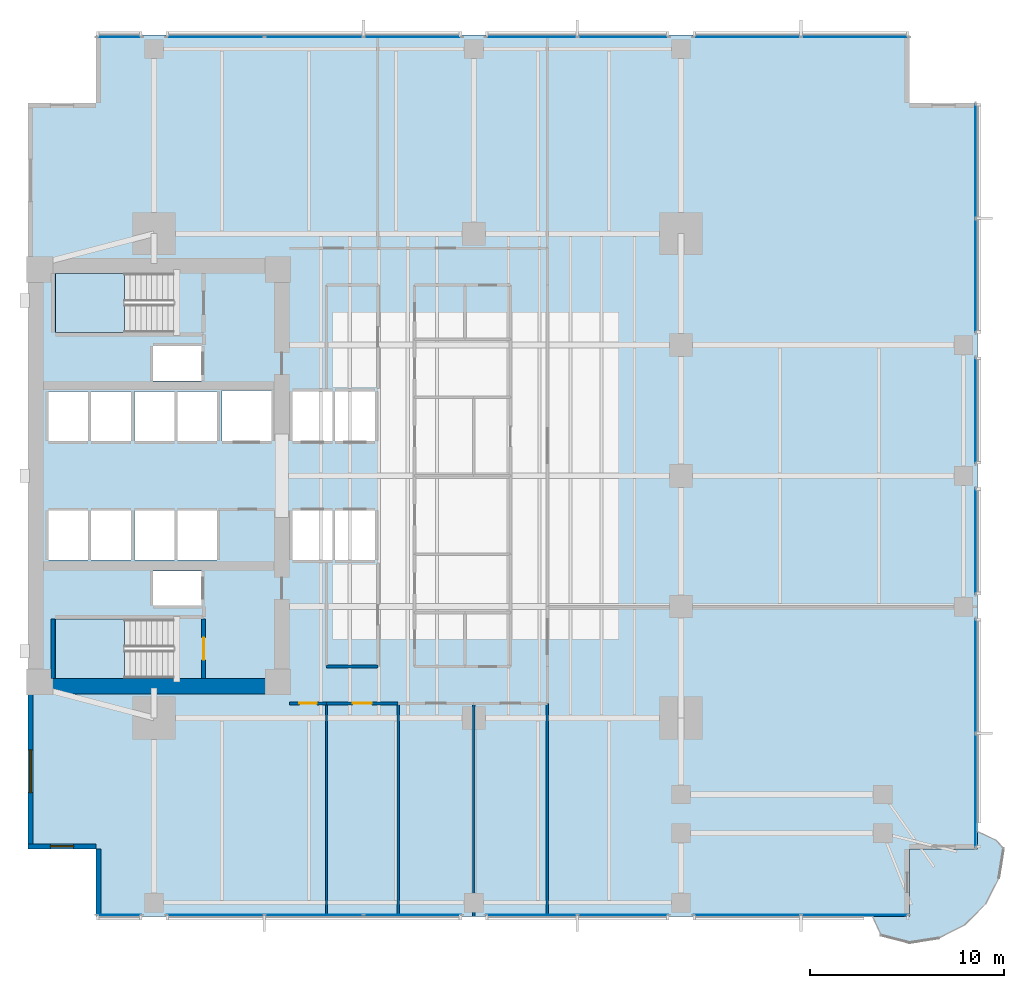
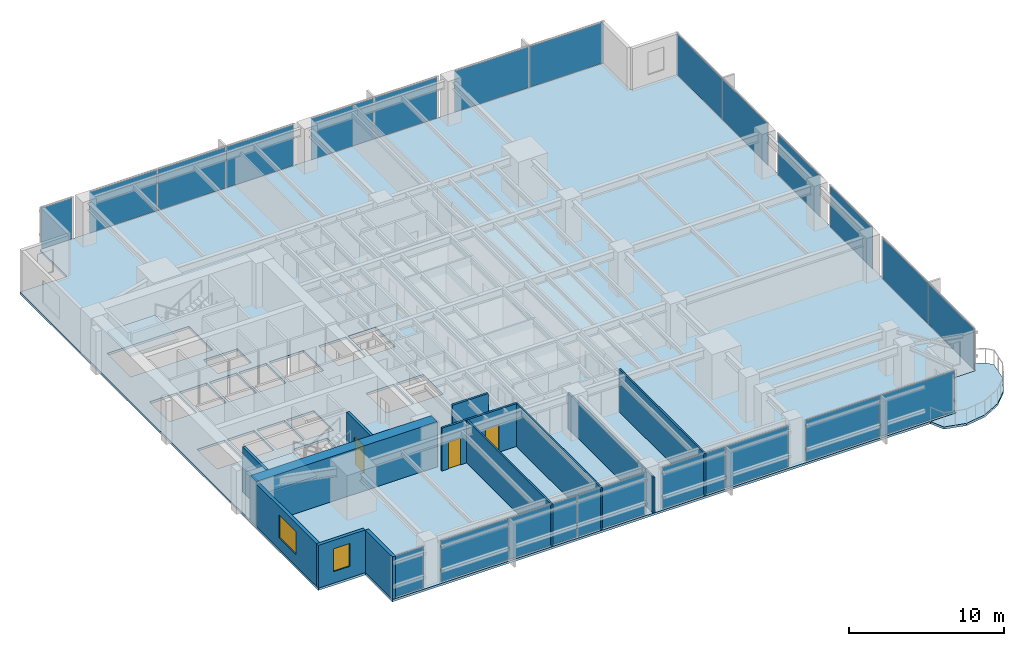
# One storey, part 7 of 15: 22 plates, 13 walls, 4 slabs, 3 doors, 2 windows, 5 openings, 14 elements without a shape of their own.
"""IFC4 building model written with IfcOpenShell, lengths in metres."""

from ifc_helpers import new_model, si_unit, direction, frame, frame_2d, origin, origin_2d, place, context, subcontext, project, spatial, polyline, rectangle, outline, extrude, material, layer, layer_set, type_object, element, fill, aggregate, save


model = new_model("IFC4")

# Units and contexts
model_context = context("Model", 3, precision=1e-05, world=origin(), true_north=direction((0.0, 1.0)))
body_context = subcontext(model_context, "Body", "Model", "MODEL_VIEW")
ifc_project = project(units=[si_unit("LENGTHUNIT", "METRE"), si_unit("AREAUNIT", "SQUARE_METRE"), si_unit("VOLUMEUNIT", "CUBIC_METRE"), si_unit("PLANEANGLEUNIT", "RADIAN"), si_unit("MASSUNIT", "GRAM", prefix="KILO")], contexts=[model_context])

# Site, building, storey
site_placement = place(None, origin())
site = spatial("IfcSite", under=ifc_project, at=site_placement, CompositionType="ELEMENT")
building_placement = place(site_placement, origin())
building = spatial("IfcBuilding", under=site, at=building_placement, Name="Kinhvarn Gate Tower", CompositionType="ELEMENT")
storey_placement = place(building_placement, frame((0.0, 0.0, 85.949951171875)))
storey = spatial("IfcBuildingStorey", under=building, at=storey_placement, Name="L22", CompositionType="ELEMENT", Elevation=85.949951171875)

# Curtain wall, plate
ifc_material_1 = material(Name="Anodised aluminium AW-6063", Category="aluminium")
ifc_layer_1 = layer(ifc_material_1, 0.179931640625)
ifc_layer_set_1 = layer_set([ifc_layer_1], Name="Anodised aluminium AW-6063")
curtain_wall_type = type_object("IfcCurtainWallType", Name="CW-SYS-2", PredefinedType="NOTDEFINED", material=ifc_layer_set_1)
curtain_wall_1_placement = place(storey_placement, origin())
curtain_wall_1 = element("IfcCurtainWall", 1, at=curtain_wall_1_placement, inside=storey, type_object=curtain_wall_type, Name="Curtain Wall CW2 (L22)", PredefinedType="NOTDEFINED")
ifc_material_2 = material(Name="Clear low-e double glazing", Category="glass")
ifc_layer_2 = layer(ifc_material_2, 0.031982421875)
ifc_layer_set_2 = layer_set([ifc_layer_2], Name="Clear low-e double glazing")
plate_type = type_object("IfcPlateType", Name="CW-PNL-VIS", PredefinedType="CURTAIN_PANEL", material=ifc_layer_set_2)
plate_1_placement = place(storey_placement, frame((9.2099609375, 2.590087890625, 0.070068359375), z_axis=(0.0, 0.0, 1.0), x_axis=(1.0, 0.0, 0.0)))
plate_1 = element("IfcPlate", 2, at=plate_1_placement, type_object=plate_type, Name="CW2 panel 1.1", PredefinedType="CURTAIN_PANEL", context=body_context, shape_type="SweptSolid", body=[
    extrude(rectangle(XDim=2.280029296875, YDim=0.031982421875, at=origin_2d()), origin(), (0.0, 0.0, 1.0), 3.22998046875),
])
aggregate(curtain_wall_1, [plate_1])

# Curtain wall, plates
curtain_wall_2_placement = place(storey_placement, origin())
curtain_wall_2 = element("IfcCurtainWall", 3, at=curtain_wall_2_placement, inside=storey, type_object=curtain_wall_type, Name="Curtain Wall CW2 (L22)", PredefinedType="NOTDEFINED")
plate_2_placement = place(storey_placement, frame((14.154052734375, 2.590087890625, 0.070068359375), z_axis=(0.0, 0.0, 1.0), x_axis=(1.0, 0.0, 0.0)))
plate_2 = element("IfcPlate", 4, at=plate_2_placement, type_object=plate_type, Name="CW2 panel 1.1", PredefinedType="CURTAIN_PANEL", context=body_context, shape_type="SweptSolid", body=[
    extrude(rectangle(XDim=5.00830078125, YDim=0.031982421875, at=origin_2d()), origin(), (0.0, 0.0, 1.0), 3.22998046875),
])
plate_3_placement = place(storey_placement, frame((19.25, 2.590087890625, 0.070068359375), z_axis=(0.0, 0.0, 1.0), x_axis=(1.0, 0.0, 0.0)))
plate_3 = element("IfcPlate", 5, at=plate_3_placement, type_object=plate_type, Name="CW2 panel 2.1", PredefinedType="CURTAIN_PANEL", context=body_context, shape_type="SweptSolid", body=[
    extrude(rectangle(XDim=5.043212890625, YDim=0.031982421875, at=origin_2d()), origin(), (0.0, 0.0, 1.0), 3.22998046875),
])
plate_4_placement = place(storey_placement, frame((24.345947265625, 2.590087890625, 0.070068359375), z_axis=(0.0, 0.0, 1.0), x_axis=(1.0, 0.0, 0.0)))
plate_4 = element("IfcPlate", 6, at=plate_4_placement, type_object=plate_type, Name="CW2 panel 3.1", PredefinedType="CURTAIN_PANEL", context=body_context, shape_type="SweptSolid", body=[
    extrude(rectangle(XDim=5.00830078125, YDim=0.031982421875, at=origin_2d()), origin(), (0.0, 0.0, 1.0), 3.22998046875),
])
aggregate(curtain_wall_2, [plate_2, plate_3, plate_4])

curtain_wall_3_placement = place(storey_placement, origin())
curtain_wall_3 = element("IfcCurtainWall", 7, at=curtain_wall_3_placement, inside=storey, type_object=curtain_wall_type, Name="Curtain Wall CW2 (L22)", PredefinedType="NOTDEFINED")
plate_5_placement = place(storey_placement, frame((30.482421875, 2.590087890625, 0.070068359375), z_axis=(0.0, 0.0, 1.0), x_axis=(1.0, 0.0, 0.0)))
plate_5 = element("IfcPlate", 8, at=plate_5_placement, type_object=plate_type, Name="CW2 panel 1.1", PredefinedType="CURTAIN_PANEL", context=body_context, shape_type="SweptSolid", body=[
    extrude(rectangle(XDim=4.6650390625, YDim=0.031982421875, at=origin_2d()), origin(), (0.0, 0.0, 1.0), 3.22998046875),
])
plate_6_placement = place(storey_placement, frame((35.217529296875, 2.590087890625, 0.070068359375), z_axis=(0.0, 0.0, 1.0), x_axis=(1.0, 0.0, 0.0)))
plate_6 = element("IfcPlate", 9, at=plate_6_placement, type_object=plate_type, Name="CW2 panel 2.1", PredefinedType="CURTAIN_PANEL", context=body_context, shape_type="SweptSolid", body=[
    extrude(rectangle(XDim=4.6650390625, YDim=0.031982421875, at=origin_2d()), origin(), (0.0, 0.0, 1.0), 3.22998046875),
])
aggregate(curtain_wall_3, [plate_5, plate_6])

curtain_wall_4_placement = place(storey_placement, origin())
curtain_wall_4 = element("IfcCurtainWall", 10, at=curtain_wall_4_placement, inside=storey, type_object=curtain_wall_type, Name="Curtain Wall CW2 (L22)", PredefinedType="NOTDEFINED")
plate_7_placement = place(storey_placement, frame((41.6025390625, 2.590087890625, 0.070068359375), z_axis=(0.0, 0.0, 1.0), x_axis=(1.0, 0.0, 0.0)))
plate_7 = element("IfcPlate", 11, at=plate_7_placement, type_object=plate_type, Name="CW2 panel 1.1", PredefinedType="CURTAIN_PANEL", context=body_context, shape_type="SweptSolid", body=[
    extrude(rectangle(XDim=5.5048828125, YDim=0.031982421875, at=origin_2d()), origin(), (0.0, 0.0, 1.0), 3.22998046875),
])
plate_8_placement = place(storey_placement, frame((47.177490234375, 2.590087890625, 0.070068359375), z_axis=(0.0, 0.0, 1.0), x_axis=(1.0, 0.0, 0.0)))
plate_8 = element("IfcPlate", 12, at=plate_8_placement, type_object=plate_type, Name="CW2 panel 2.1", PredefinedType="CURTAIN_PANEL", context=body_context, shape_type="SweptSolid", body=[
    extrude(rectangle(XDim=5.5048828125, YDim=0.031982421875, at=origin_2d()), origin(), (0.0, 0.0, 1.0), 3.22998046875),
])
aggregate(curtain_wall_4, [plate_7, plate_8])

curtain_wall_5_placement = place(storey_placement, origin())
curtain_wall_5 = element("IfcCurtainWall", 13, at=curtain_wall_5_placement, inside=storey, type_object=curtain_wall_type, Name="Curtain Wall CW2 (L22)", PredefinedType="NOTDEFINED")
plate_9_placement = place(storey_placement, frame((47.177490234375, 47.909912109375, 0.070068359375), z_axis=(0.0, 0.0, 1.0), x_axis=(-1.0, 0.0, 0.0)))
plate_9 = element("IfcPlate", 14, at=plate_9_placement, type_object=plate_type, Name="CW2 panel 1.1", PredefinedType="CURTAIN_PANEL", context=body_context, shape_type="SweptSolid", body=[
    extrude(rectangle(XDim=5.5048828125, YDim=0.031982421875, at=origin_2d()), origin(), (0.0, 0.0, 1.0), 3.22998046875),
])
plate_10_placement = place(storey_placement, frame((41.6025390625, 47.909912109375, 0.070068359375), z_axis=(0.0, 0.0, 1.0), x_axis=(-1.0, 0.0, 0.0)))
plate_10 = element("IfcPlate", 15, at=plate_10_placement, type_object=plate_type, Name="CW2 panel 2.1", PredefinedType="CURTAIN_PANEL", context=body_context, shape_type="SweptSolid", body=[
    extrude(rectangle(XDim=5.5048828125, YDim=0.031982421875, at=origin_2d()), origin(), (0.0, 0.0, 1.0), 3.22998046875),
])
aggregate(curtain_wall_5, [plate_9, plate_10])

curtain_wall_6_placement = place(storey_placement, origin())
curtain_wall_6 = element("IfcCurtainWall", 16, at=curtain_wall_6_placement, inside=storey, type_object=curtain_wall_type, Name="Curtain Wall CW2 (L22)", PredefinedType="NOTDEFINED")
plate_11_placement = place(storey_placement, frame((35.217529296875, 47.909912109375, 0.070068359375), z_axis=(0.0, 0.0, 1.0), x_axis=(-1.0, 0.0, 0.0)))
plate_11 = element("IfcPlate", 17, at=plate_11_placement, type_object=plate_type, Name="CW2 panel 1.1", PredefinedType="CURTAIN_PANEL", context=body_context, shape_type="SweptSolid", body=[
    extrude(rectangle(XDim=4.6650390625, YDim=0.031982421875, at=origin_2d()), origin(), (0.0, 0.0, 1.0), 3.22998046875),
])
plate_12_placement = place(storey_placement, frame((30.482421875, 47.909912109375, 0.070068359375), z_axis=(0.0, 0.0, 1.0), x_axis=(-1.0, 0.0, 0.0)))
plate_12 = element("IfcPlate", 18, at=plate_12_placement, type_object=plate_type, Name="CW2 panel 2.1", PredefinedType="CURTAIN_PANEL", context=body_context, shape_type="SweptSolid", body=[
    extrude(rectangle(XDim=4.6650390625, YDim=0.031982421875, at=origin_2d()), origin(), (0.0, 0.0, 1.0), 3.22998046875),
])
aggregate(curtain_wall_6, [plate_11, plate_12])

curtain_wall_7_placement = place(storey_placement, origin())
curtain_wall_7 = element("IfcCurtainWall", 19, at=curtain_wall_7_placement, inside=storey, type_object=curtain_wall_type, Name="Curtain Wall CW2 (L22)", PredefinedType="NOTDEFINED")
plate_13_placement = place(storey_placement, frame((24.345947265625, 47.909912109375, 0.070068359375), z_axis=(0.0, 0.0, 1.0), x_axis=(-1.0, 0.0, 0.0)))
plate_13 = element("IfcPlate", 20, at=plate_13_placement, type_object=plate_type, Name="CW2 panel 1.1", PredefinedType="CURTAIN_PANEL", context=body_context, shape_type="SweptSolid", body=[
    extrude(rectangle(XDim=5.00830078125, YDim=0.031982421875, at=origin_2d()), origin(), (0.0, 0.0, 1.0), 3.22998046875),
])
plate_14_placement = place(storey_placement, frame((19.25, 47.909912109375, 0.070068359375), z_axis=(0.0, 0.0, 1.0), x_axis=(-1.0, 0.0, 0.0)))
plate_14 = element("IfcPlate", 21, at=plate_14_placement, type_object=plate_type, Name="CW2 panel 2.1", PredefinedType="CURTAIN_PANEL", context=body_context, shape_type="SweptSolid", body=[
    extrude(rectangle(XDim=5.043212890625, YDim=0.031982421875, at=origin_2d()), origin(), (0.0, 0.0, 1.0), 3.22998046875),
])
plate_15_placement = place(storey_placement, frame((14.154052734375, 47.909912109375, 0.070068359375), z_axis=(0.0, 0.0, 1.0), x_axis=(-1.0, 0.0, 0.0)))
plate_15 = element("IfcPlate", 22, at=plate_15_placement, type_object=plate_type, Name="CW2 panel 3.1", PredefinedType="CURTAIN_PANEL", context=body_context, shape_type="SweptSolid", body=[
    extrude(rectangle(XDim=5.00830078125, YDim=0.031982421875, at=origin_2d()), origin(), (0.0, 0.0, 1.0), 3.22998046875),
])
aggregate(curtain_wall_7, [plate_13, plate_14, plate_15])

# Curtain wall, plate
curtain_wall_8_placement = place(storey_placement, origin())
curtain_wall_8 = element("IfcCurtainWall", 23, at=curtain_wall_8_placement, inside=storey, type_object=curtain_wall_type, Name="Curtain Wall CW2 (L22)", PredefinedType="NOTDEFINED")
plate_16_placement = place(storey_placement, frame((9.2099609375, 47.909912109375, 0.070068359375), z_axis=(0.0, 0.0, 1.0), x_axis=(-1.0, 0.0, 0.0)))
plate_16 = element("IfcPlate", 24, at=plate_16_placement, type_object=plate_type, Name="CW2 panel 1.1", PredefinedType="CURTAIN_PANEL", context=body_context, shape_type="SweptSolid", body=[
    extrude(rectangle(XDim=2.280029296875, YDim=0.031982421875, at=origin_2d()), origin(), (0.0, 0.0, 1.0), 3.22998046875),
])
aggregate(curtain_wall_8, [plate_16])

# Curtain wall, plates
curtain_wall_9_placement = place(storey_placement, origin())
curtain_wall_9 = element("IfcCurtainWall", 25, at=curtain_wall_9_placement, inside=storey, type_object=curtain_wall_type, Name="Curtain Wall CW2 (L22)", PredefinedType="NOTDEFINED")
plate_17_placement = place(storey_placement, frame((53.409912109375, 8.99755859375, 0.070068359375), z_axis=(0.0, 0.0, 1.0), x_axis=(0.0, 1.0, 0.0)))
plate_17 = element("IfcPlate", 26, at=plate_17_placement, type_object=plate_type, Name="CW2 panel 1.1", PredefinedType="CURTAIN_PANEL", context=body_context, shape_type="SweptSolid", body=[
    extrude(rectangle(XDim=5.85498046875, YDim=0.031982421875, at=origin_2d()), origin(), (0.0, 0.0, 1.0), 3.22998046875),
])
plate_18_placement = place(storey_placement, frame((53.409912109375, 14.922607421875, 0.070068359375), z_axis=(0.0, 0.0, 1.0), x_axis=(0.0, 1.0, 0.0)))
plate_18 = element("IfcPlate", 27, at=plate_18_placement, type_object=plate_type, Name="CW2 panel 2.1", PredefinedType="CURTAIN_PANEL", context=body_context, shape_type="SweptSolid", body=[
    extrude(rectangle(XDim=5.85498046875, YDim=0.031982421875, at=origin_2d()), origin(), (0.0, 0.0, 1.0), 3.22998046875),
])
aggregate(curtain_wall_9, [plate_17, plate_18])

# Curtain wall, plate
curtain_wall_10_placement = place(storey_placement, origin())
curtain_wall_10 = element("IfcCurtainWall", 28, at=curtain_wall_10_placement, inside=storey, type_object=curtain_wall_type, Name="Curtain Wall CW2 (L22)", PredefinedType="NOTDEFINED")
plate_19_placement = place(storey_placement, frame((53.409912109375, 21.875, 0.070068359375), z_axis=(0.0, 0.0, 1.0), x_axis=(0.0, 1.0, 0.0)))
plate_19 = element("IfcPlate", 29, at=plate_19_placement, type_object=plate_type, Name="CW2 panel 1.1", PredefinedType="CURTAIN_PANEL", context=body_context, shape_type="SweptSolid", body=[
    extrude(rectangle(XDim=5.449951171875, YDim=0.031982421875, at=origin_2d()), origin(), (0.0, 0.0, 1.0), 3.22998046875),
])
aggregate(curtain_wall_10, [plate_19])

curtain_wall_11_placement = place(storey_placement, origin())
curtain_wall_11 = element("IfcCurtainWall", 30, at=curtain_wall_11_placement, inside=storey, type_object=curtain_wall_type, Name="Curtain Wall CW2 (L22)", PredefinedType="NOTDEFINED")
plate_20_placement = place(storey_placement, frame((53.409912109375, 28.625, 0.070068359375), z_axis=(0.0, 0.0, 1.0), x_axis=(0.0, 1.0, 0.0)))
plate_20 = element("IfcPlate", 31, at=plate_20_placement, type_object=plate_type, Name="CW2 panel 1.1", PredefinedType="CURTAIN_PANEL", context=body_context, shape_type="SweptSolid", body=[
    extrude(rectangle(XDim=5.449951171875, YDim=0.031982421875, at=origin_2d()), origin(), (0.0, 0.0, 1.0), 3.22998046875),
])
aggregate(curtain_wall_11, [plate_20])

# Curtain wall, plates
curtain_wall_12_placement = place(storey_placement, origin())
curtain_wall_12 = element("IfcCurtainWall", 32, at=curtain_wall_12_placement, inside=storey, type_object=curtain_wall_type, Name="Curtain Wall CW2 (L22)", PredefinedType="NOTDEFINED")
plate_21_placement = place(storey_placement, frame((53.409912109375, 35.577392578125, 0.070068359375), z_axis=(0.0, 0.0, 1.0), x_axis=(0.0, 1.0, 0.0)))
plate_21 = element("IfcPlate", 33, at=plate_21_placement, type_object=plate_type, Name="CW2 panel 1.1", PredefinedType="CURTAIN_PANEL", context=body_context, shape_type="SweptSolid", body=[
    extrude(rectangle(XDim=5.85498046875, YDim=0.031982421875, at=origin_2d()), origin(), (0.0, 0.0, 1.0), 3.22998046875),
])
plate_22_placement = place(storey_placement, frame((53.409912109375, 41.50244140625, 0.070068359375), z_axis=(0.0, 0.0, 1.0), x_axis=(0.0, 1.0, 0.0)))
plate_22 = element("IfcPlate", 34, at=plate_22_placement, type_object=plate_type, Name="CW2 panel 2.1", PredefinedType="CURTAIN_PANEL", context=body_context, shape_type="SweptSolid", body=[
    extrude(rectangle(XDim=5.85498046875, YDim=0.031982421875, at=origin_2d()), origin(), (0.0, 0.0, 1.0), 3.22998046875),
])
aggregate(curtain_wall_12, [plate_21, plate_22])

# Slabs
ifc_material_3 = material(Name="Precast white architectural concrete C40/50", Category="concrete")
ifc_layer_3 = layer(ifc_material_3, 0.179931640625)
ifc_layer_set_3 = layer_set([ifc_layer_3], Name="Precast white architectural concrete C40/50")
slab_type_1 = type_object("IfcSlabType", Name="SLB-BAL-180", PredefinedType="FLOOR", material=ifc_layer_set_3)
slab_1_placement = place(storey_placement, frame((0.0, 0.0, -0.179931640625)))
element("IfcSlab", 35, at=slab_1_placement, inside=storey, type_object=slab_type_1, Name="S-Carve Curved Terrace Balcony Slab L22 (SE)", PredefinedType="FLOOR", context=body_context, shape_type="SweptSolid", body=[
    extrude(outline(polyline([(48.090087890625, 2.5), (48.5400390625, 1.528076171875), (50.0, 1.14990234375), (51.498779296875, 1.387451171875), (52.850830078125, 2.076416015625), (53.923583984375, 3.149169921875), (54.612548828125, 4.501220703125), (54.85009765625, 6.0), (54.471923828125, 6.43603515625), (53.5, 6.885986328125), (53.5, 6.0), (50.0, 6.0), (50.0, 2.5), (48.090087890625, 2.5)])), origin(), (0.0, 0.0, 1.0), 0.179931640625),
])
ifc_material_4 = material(Name="Concrete C40/50", Category="concrete")
ifc_layer_4 = layer(ifc_material_4, 0.179931640625)
ifc_layer_set_4 = layer_set([ifc_layer_4], Name="Concrete C40/50")
slab_type_2 = type_object("IfcSlabType", Name="SLB-FLR-180", PredefinedType="FLOOR", material=ifc_layer_set_4)
slab_2_placement = place(storey_placement, frame((0.0, 0.0, -0.179931640625)))
element("IfcSlab", 36, at=slab_2_placement, inside=storey, type_object=slab_type_2, Name="Suspended Floor Slab L22", PredefinedType="FLOOR", context=body_context, shape_type="SweptSolid", body=[
    extrude(outline(polyline([(8.0, 2.5), (50.0, 2.5), (50.0, 6.0), (53.5, 6.0), (53.5, 44.5), (50.0, 44.5), (50.0, 48.0), (8.0, 48.0), (8.0, 44.5), (4.5, 44.5), (4.5, 6.0), (8.0, 6.0), (8.0, 2.5)]), holes=[polyline([(5.89990234375, 14.800048828125), (12.0, 14.800048828125), (12.0, 17.85009765625), (5.89990234375, 17.85009765625), (5.89990234375, 14.800048828125)]), polyline([(5.89990234375, 32.64990234375), (12.0, 32.64990234375), (12.0, 35.699951171875), (5.89990234375, 35.699951171875), (5.89990234375, 32.64990234375)]), polyline([(18.14990234375, 20.89990234375), (20.199951171875, 20.89990234375), (20.199951171875, 23.449951171875), (18.14990234375, 23.449951171875), (18.14990234375, 20.89990234375)]), polyline([(20.35009765625, 20.89990234375), (22.39990234375, 20.89990234375), (22.39990234375, 23.449951171875), (20.35009765625, 23.449951171875), (20.35009765625, 20.89990234375)]), polyline([(18.14990234375, 27.050048828125), (20.199951171875, 27.050048828125), (20.199951171875, 29.60009765625), (18.14990234375, 29.60009765625), (18.14990234375, 27.050048828125)]), polyline([(20.35009765625, 27.050048828125), (22.39990234375, 27.050048828125), (22.39990234375, 29.60009765625), (20.35009765625, 29.60009765625), (20.35009765625, 27.050048828125)]), polyline([(5.550048828125, 20.89990234375), (7.60009765625, 20.89990234375), (7.60009765625, 23.449951171875), (5.550048828125, 23.449951171875), (5.550048828125, 20.89990234375)]), polyline([(7.75, 20.89990234375), (9.800048828125, 20.89990234375), (9.800048828125, 23.449951171875), (7.75, 23.449951171875), (7.75, 20.89990234375)]), polyline([(5.550048828125, 27.050048828125), (7.60009765625, 27.050048828125), (7.60009765625, 29.60009765625), (5.550048828125, 29.60009765625), (5.550048828125, 27.050048828125)]), polyline([(7.75, 27.050048828125), (9.800048828125, 27.050048828125), (9.800048828125, 29.60009765625), (7.75, 29.60009765625), (7.75, 27.050048828125)]), polyline([(10.0, 20.89990234375), (12.050048828125, 20.89990234375), (12.050048828125, 23.449951171875), (10.0, 23.449951171875), (10.0, 20.89990234375)]), polyline([(12.199951171875, 20.89990234375), (14.25, 20.89990234375), (14.25, 23.449951171875), (12.199951171875, 23.449951171875), (12.199951171875, 20.89990234375)]), polyline([(10.0, 27.050048828125), (12.050048828125, 27.050048828125), (12.050048828125, 29.60009765625), (10.0, 29.60009765625), (10.0, 27.050048828125)]), polyline([(12.199951171875, 27.050048828125), (14.25, 27.050048828125), (14.25, 29.60009765625), (12.199951171875, 29.60009765625), (12.199951171875, 27.050048828125)]), polyline([(14.5, 27.050048828125), (17.050048828125, 27.050048828125), (17.050048828125, 29.64990234375), (14.5, 29.64990234375), (14.5, 27.050048828125)]), polyline([(10.949951171875, 18.550048828125), (13.449951171875, 18.550048828125), (13.449951171875, 20.35009765625), (10.949951171875, 20.35009765625), (10.949951171875, 18.550048828125)]), polyline([(10.949951171875, 30.14990234375), (13.449951171875, 30.14990234375), (13.449951171875, 31.949951171875), (10.949951171875, 31.949951171875), (10.949951171875, 30.14990234375)])]), origin(), (0.0, 0.0, 1.0), 0.179931640625),
])

# Stair, slab
stair_type = type_object("IfcStairType", Name="STR-DLG-177", PredefinedType="HALF_TURN_STAIR", material=ifc_material_4)
stair_1_placement = place(storey_placement, origin())
stair_1 = element("IfcStair", 37, at=stair_1_placement, inside=storey, type_object=stair_type, Name="L22 Core Smokeproof Exit Stair ST1", PredefinedType="HALF_TURN_STAIR")
ifc_layer_5 = layer(ifc_material_4, 0.199951171875)
ifc_layer_set_5 = layer_set([ifc_layer_5], Name="Concrete C40/50")
slab_type_3 = type_object("IfcSlabType", Name="SLB-ST-LND", PredefinedType="LANDING", material=ifc_layer_set_5)
slab_3_placement = place(storey_placement, frame((0.0, 0.0, 1.574951171875)))
slab_3 = element("IfcSlab", 38, at=slab_3_placement, type_object=slab_type_3, Name="ST1 landing 1", PredefinedType="LANDING", context=body_context, shape_type="SweptSolid", body=[
    extrude(outline(polyline([(9.47998046875, 17.85009765625), (5.89990234375, 17.85009765625), (5.89990234375, 14.800048828125), (9.47998046875, 14.800048828125), (9.47998046875, 17.85009765625)])), origin(), (0.0, 0.0, 1.0), 0.2001953125),
])
aggregate(stair_1, [slab_3])

stair_2_placement = place(storey_placement, origin())
stair_2 = element("IfcStair", 39, at=stair_2_placement, inside=storey, type_object=stair_type, Name="L22 Core Smokeproof Exit Stair ST2", PredefinedType="HALF_TURN_STAIR")
slab_4_placement = place(storey_placement, frame((0.0, 0.0, 1.574951171875)))
slab_4 = element("IfcSlab", 40, at=slab_4_placement, type_object=slab_type_3, Name="ST2 landing 1", PredefinedType="LANDING", context=body_context, shape_type="SweptSolid", body=[
    extrude(outline(polyline([(9.47998046875, 35.699951171875), (5.89990234375, 35.699951171875), (5.89990234375, 32.64990234375), (9.47998046875, 32.64990234375), (9.47998046875, 35.699951171875)])), origin(), (0.0, 0.0, 1.0), 0.2001953125),
])
aggregate(stair_2, [slab_4])

# Wall
ifc_material_5 = material(Name="Concrete C70/85", Category="concrete")
ifc_layer_6 = layer(ifc_material_5, 0.800048828125)
ifc_layer_set_6 = layer_set([ifc_layer_6], Name="Concrete C70/85")
wall_type_1 = type_object("IfcWallType", Name="WL-CORE-800", PredefinedType="SHEAR", material=ifc_layer_set_6)
wall_1_placement = place(storey_placement, frame((4.5, 14.39990234375, 0.0), z_axis=(0.0, 0.0, 1.0), x_axis=(1.0, 0.0, 0.0)))
element("IfcWall", 41, at=wall_1_placement, inside=storey, type_object=wall_type_1, Name="Core South Shear Wall L22 800 mm", PredefinedType="SHEAR", context=body_context, shape_type="SweptSolid", body=[
    extrude(rectangle(XDim=13.5, YDim=0.800048828125, at=frame_2d((6.75, 0.0))), origin(), (0.0, 0.0, 1.0), 3.550048828125),
])

# Wall, opening, window
ifc_material_6 = material(Name="Fired architectural terracotta", Category="masonry")
ifc_layer_7 = layer(ifc_material_6, 0.25)
ifc_layer_set_7 = layer_set([ifc_layer_7], Name="Fired architectural terracotta")
wall_type_2 = type_object("IfcWallType", Name="WL-EXT-250", PredefinedType="SOLIDWALL", material=ifc_layer_set_7)
wall_2_placement = place(storey_placement, frame((4.625, 14.0, 0.0), z_axis=(0.0, 0.0, 1.0), x_axis=(0.0, -1.0, 0.0)))
wall_2 = element("IfcWall", 42, at=wall_2_placement, inside=storey, type_object=wall_type_2, Name="Exterior Solidwall Wall EW-250 (L22 West-South)", PredefinedType="SOLIDWALL", context=body_context, shape_type="SweptSolid", body=[
    extrude(rectangle(XDim=8.0, YDim=0.25, at=frame_2d((4.0, 0.0))), origin(), (0.0, 0.0, 1.0), 3.3701171875),
])
opening_1_placement = place(wall_2_placement, frame((2.89990234375, 0.0, 0.89990234375)))
opening_1 = element("IfcOpeningElement", 43, at=opening_1_placement, cuts=wall_2, Name="Opening WN-01", PredefinedType="OPENING", context=body_context, shape_type="SweptSolid", body=[
    extrude(rectangle(XDim=2.199951171875, YDim=1.800048828125, at=frame_2d((1.10009765625, 0.89990234375))), frame((0.0, 0.135009765625, 0.0), z_axis=(0.0, -1.0, 0.0), x_axis=(1.0, 0.0, 0.0)), (0.0, 0.0, 1.0), 0.27001953125),
])
window_type_1 = type_object("IfcWindowType", Name="WIN-RIB-2200", PartitioningType="SINGLE_PANEL", PredefinedType="WINDOW", material=ifc_material_2)
window_1_placement = place(opening_1_placement, origin())
window_1 = element("IfcWindow", 44, at=window_1_placement, inside=storey, type_object=window_type_1, Name="West Flank Double-Glazed Ribbon Window 2200x1800 mm (L22)", OverallHeight=1.800048828125, OverallWidth=2.199951171875, PartitioningType="SINGLE_PANEL", PredefinedType="WINDOW", context=body_context, shape_type="SweptSolid", body=[
    extrude(rectangle(XDim=2.199951171875, YDim=1.800048828125, at=frame_2d((1.10009765625, 0.89990234375))), frame((0.0, 0.030029296875, 0.0), z_axis=(0.0, -1.0, 0.0), x_axis=(1.0, 0.0, 0.0)), (0.0, 0.0, 1.0), 0.06005859375),
])
fill(opening_1, window_1)

wall_3_placement = place(storey_placement, frame((4.5, 6.125, 0.0), z_axis=(0.0, 0.0, 1.0), x_axis=(1.0, 0.0, 0.0)))
wall_3 = element("IfcWall", 45, at=wall_3_placement, inside=storey, type_object=wall_type_2, Name="Exterior Solidwall Wall EW-250 (L22 SW-Notch-1)", PredefinedType="SOLIDWALL", context=body_context, shape_type="SweptSolid", body=[
    extrude(rectangle(XDim=3.5, YDim=0.25, at=frame_2d((1.75, 0.0))), origin(), (0.0, 0.0, 1.0), 3.3701171875),
])
opening_2_placement = place(wall_3_placement, frame((1.14990234375, 0.0, 0.89990234375)))
opening_2 = element("IfcOpeningElement", 46, at=opening_2_placement, cuts=wall_3, Name="Opening WN-02", PredefinedType="OPENING", context=body_context, shape_type="SweptSolid", body=[
    extrude(rectangle(XDim=1.199951171875, YDim=1.800048828125, at=frame_2d((0.60009765625, 0.89990234375))), frame((0.0, 0.135009765625, 0.0), z_axis=(0.0, -1.0, 0.0), x_axis=(1.0, 0.0, 0.0)), (0.0, 0.0, 1.0), 0.27001953125),
])
window_type_2 = type_object("IfcWindowType", Name="WIN-NTC-1200", PartitioningType="SINGLE_PANEL", PredefinedType="WINDOW", material=ifc_material_2)
window_2_placement = place(opening_2_placement, origin())
window_2 = element("IfcWindow", 47, at=window_2_placement, inside=storey, type_object=window_type_2, Name="Recessed Corner Notch Punched Window 1200x1800 mm (L22)", OverallHeight=1.800048828125, OverallWidth=1.199951171875, PartitioningType="SINGLE_PANEL", PredefinedType="WINDOW", context=body_context, shape_type="SweptSolid", body=[
    extrude(rectangle(XDim=1.199951171875, YDim=1.800048828125, at=frame_2d((0.60009765625, 0.89990234375))), frame((0.0, 0.030029296875, 0.0), z_axis=(0.0, -1.0, 0.0), x_axis=(1.0, 0.0, 0.0)), (0.0, 0.0, 1.0), 0.06005859375),
])
fill(opening_2, window_2)

# Walls
wall_4_placement = place(storey_placement, frame((8.125, 6.0, 0.0), z_axis=(0.0, 0.0, 1.0), x_axis=(0.0, -1.0, 0.0)))
element("IfcWall", 48, at=wall_4_placement, inside=storey, type_object=wall_type_2, Name="Exterior Solidwall Wall EW-250 (L22 SW-Notch-2)", PredefinedType="SOLIDWALL", context=body_context, shape_type="SweptSolid", body=[
    extrude(rectangle(XDim=3.5, YDim=0.25, at=frame_2d((1.75, 0.0))), origin(), (0.0, 0.0, 1.0), 3.3701171875),
])
ifc_material_7 = material(Name="Gypsum acoustic partition board")
ifc_layer_8 = layer(ifc_material_7, 0.1201171875)
ifc_layer_set_8 = layer_set([ifc_layer_8], Name="Gypsum acoustic partition board")
wall_type_3 = type_object("IfcWallType", Name="WL-PRT-120", PredefinedType="PARTITIONING", material=ifc_layer_set_8)
for number, where, z_axis, x_axis, name in (
    (49, (19.89990234375, 2.510009765625, 0.0), (0.0, 0.0, 1.0), (0.0, 1.0, 0.0), "Interior Partition PW-120 (L22)"),
    (50, (23.60009765625, 2.510009765625, 0.0), (0.0, 0.0, 1.0), (0.0, 1.0, 0.0), "Interior Partition PW-120 (L22)"),
):
    element("IfcWall", number, at=place(storey_placement, frame(where, z_axis=z_axis, x_axis=x_axis)), inside=storey, type_object=wall_type_3, Name=name, PredefinedType="PARTITIONING", context=body_context, shape_type="SweptSolid", body=[
        extrude(rectangle(XDim=10.989990234375, YDim=0.1201171875, at=frame_2d((5.4951171875, 0.0))), origin(), (0.0, 0.0, 1.0), 3.3701171875),
    ])
wall_5_placement = place(storey_placement, frame((27.5, 2.510009765625, 0.0), z_axis=(0.0, 0.0, 1.0), x_axis=(0.0, 1.0, 0.0)))
element("IfcWall", 51, at=wall_5_placement, inside=storey, type_object=wall_type_3, Name="Interior Partition PW-120 (L22)", PredefinedType="PARTITIONING", context=body_context, shape_type="SweptSolid", body=[
    extrude(rectangle(XDim=10.989990234375, YDim=0.1201171875, at=frame_2d((5.4951171875, 0.0))), origin(), (0.0, 0.0, 1.0), 2.820068359375),
])
wall_6_placement = place(storey_placement, frame((31.300048828125, 2.510009765625, 0.0), z_axis=(0.0, 0.0, 1.0), x_axis=(0.0, 1.0, 0.0)))
element("IfcWall", 52, at=wall_6_placement, inside=storey, type_object=wall_type_3, Name="Interior Partition PW-120 (L22)", PredefinedType="PARTITIONING", context=body_context, shape_type="SweptSolid", body=[
    extrude(rectangle(XDim=10.989990234375, YDim=0.1201171875, at=frame_2d((5.4951171875, 0.0))), origin(), (0.0, 0.0, 1.0), 3.3701171875),
])
ifc_layer_9 = layer(ifc_material_7, 0.14990234375)
ifc_layer_set_9 = layer_set([ifc_layer_9], Name="Gypsum acoustic partition board")
wall_type_4 = type_object("IfcWallType", Name="WL-PRT-150F", PredefinedType="PARTITIONING", material=ifc_layer_set_9)
wall_7_placement = place(storey_placement, frame((19.89990234375, 15.39990234375, 0.0), z_axis=(0.0, 0.0, 1.0), x_axis=(1.0, 0.0, 0.0)))
element("IfcWall", 53, at=wall_7_placement, inside=storey, type_object=wall_type_4, Name="Interior Partition PW-150F (L22)", PredefinedType="PARTITIONING", context=body_context, shape_type="SweptSolid", body=[
    extrude(rectangle(XDim=2.650146484375, YDim=0.14990234375, at=frame_2d((1.3251953125, 0.0))), origin(), (0.0, 0.0, 1.0), 3.3701171875),
])

# Wall, opening, door
wall_8_placement = place(storey_placement, frame((18.0, 13.5, 0.0), z_axis=(0.0, 0.0, 1.0), x_axis=(1.0, 0.0, 0.0)))
wall_8 = element("IfcWall", 54, at=wall_8_placement, inside=storey, type_object=wall_type_4, Name="Interior Partition PW-150F (L22)", PredefinedType="PARTITIONING", context=body_context, shape_type="SweptSolid", body=[
    extrude(rectangle(XDim=1.89990234375, YDim=0.14990234375, at=frame_2d((0.949951171875, 0.0))), origin(), (0.0, 0.0, 1.0), 3.3701171875),
])
opening_3_placement = place(wall_8_placement, frame((0.5, 0.0, 0.0)))
opening_3 = element("IfcOpeningElement", 55, at=opening_3_placement, cuts=wall_8, Name="Opening ID-03", PredefinedType="OPENING", context=body_context, shape_type="SweptSolid", body=[
    extrude(rectangle(XDim=0.89990234375, YDim=2.10009765625, at=frame_2d((0.449951171875, 1.050048828125))), frame((0.0, 0.0849609375, 0.0), z_axis=(0.0, -1.0, 0.0), x_axis=(1.0, 0.0, 0.0)), (0.0, 0.0, 1.0), 0.169921875),
])
door_type_1 = type_object("IfcDoorType", Name="DR-INT-900", OperationType="NOTDEFINED", PredefinedType="DOOR", material=ifc_material_1)
door_1_placement = place(opening_3_placement, origin())
door_1 = element("IfcDoor", 56, at=door_1_placement, inside=storey, type_object=door_type_1, Name="Cellular Office & Restroom Door 900x2100 mm (L22)", OperationType="SINGLE_SWING_RIGHT", OverallHeight=2.10009765625, OverallWidth=0.89990234375, PredefinedType="DOOR", context=body_context, shape_type="SweptSolid", body=[
    extrude(rectangle(XDim=0.89990234375, YDim=2.10009765625, at=frame_2d((0.449951171875, 1.050048828125))), frame((0.0, 0.02490234375, 0.0), z_axis=(0.0, -1.0, 0.0), x_axis=(1.0, 0.0, 0.0)), (0.0, 0.0, 1.0), 0.050048828125),
])
fill(opening_3, door_1)

wall_9_placement = place(storey_placement, frame((19.89990234375, 13.5, 0.0), z_axis=(0.0, 0.0, 1.0), x_axis=(1.0, 0.0, 0.0)))
wall_9 = element("IfcWall", 57, at=wall_9_placement, inside=storey, type_object=wall_type_4, Name="Interior Partition PW-150F (L22)", PredefinedType="PARTITIONING", context=body_context, shape_type="SweptSolid", body=[
    extrude(rectangle(XDim=3.7001953125, YDim=0.14990234375, at=frame_2d((1.85009765625, 0.0))), origin(), (0.0, 0.0, 1.0), 3.3701171875),
])
opening_4_placement = place(wall_9_placement, frame((1.35009765625, 0.0, 0.0)))
opening_4 = element("IfcOpeningElement", 58, at=opening_4_placement, cuts=wall_9, Name="Opening ID-02", PredefinedType="OPENING", context=body_context, shape_type="SweptSolid", body=[
    extrude(rectangle(XDim=1.0, YDim=2.14990234375, at=frame_2d((0.5, 1.074951171875))), frame((0.0, 0.0849609375, 0.0), z_axis=(0.0, -1.0, 0.0), x_axis=(1.0, 0.0, 0.0)), (0.0, 0.0, 1.0), 0.169921875),
])
door_type_2 = type_object("IfcDoorType", Name="DR-INT-1000", OperationType="NOTDEFINED", PredefinedType="DOOR", material=ifc_material_1)
door_2_placement = place(opening_4_placement, origin())
door_2 = element("IfcDoor", 59, at=door_2_placement, inside=storey, type_object=door_type_2, Name="Standard Office & Meeting Room Door 1000x2150 mm (L22)", OperationType="SINGLE_SWING_LEFT", OverallHeight=2.14990234375, OverallWidth=1.0, PredefinedType="DOOR", context=body_context, shape_type="SweptSolid", body=[
    extrude(rectangle(XDim=1.0, YDim=2.14990234375, at=frame_2d((0.5, 1.074951171875))), frame((0.0, 0.02490234375, 0.0), z_axis=(0.0, -1.0, 0.0), x_axis=(1.0, 0.0, 0.0)), (0.0, 0.0, 1.0), 0.050048828125),
])
fill(opening_4, door_2)

# Wall
ifc_layer_10 = layer(ifc_material_4, 0.199951171875)
ifc_layer_set_10 = layer_set([ifc_layer_10], Name="Concrete C40/50")
wall_type_5 = type_object("IfcWallType", Name="WL-SHF-200", PredefinedType="SOLIDWALL", material=ifc_layer_set_10)
wall_10_placement = place(storey_placement, frame((5.7900390625, 14.800048828125, 0.0), z_axis=(0.0, 0.0, 1.0), x_axis=(0.0, 1.0, 0.0)))
element("IfcWall", 60, at=wall_10_placement, inside=storey, type_object=wall_type_5, Name="Stair ST1 West Shaft Wall (L22)", PredefinedType="SOLIDWALL", context=body_context, shape_type="SweptSolid", body=[
    extrude(rectangle(XDim=3.050048828125, YDim=0.199951171875, at=frame_2d((1.52490234375, 0.0))), origin(), (0.0, 0.0, 1.0), 3.550048828125),
])

# Wall, opening, door
wall_11_placement = place(storey_placement, frame((13.56005859375, 14.800048828125, 0.0), z_axis=(0.0, 0.0, 1.0), x_axis=(0.0, 1.0, 0.0)))
wall_11 = element("IfcWall", 61, at=wall_11_placement, inside=storey, type_object=wall_type_5, Name="Stair ST1 East Entry Wall (L22)", PredefinedType="SOLIDWALL", context=body_context, shape_type="SweptSolid", body=[
    extrude(rectangle(XDim=3.050048828125, YDim=0.199951171875, at=frame_2d((1.52490234375, 0.0))), origin(), (0.0, 0.0, 1.0), 3.550048828125),
])
opening_5_placement = place(wall_11_placement, frame((0.949951171875, 0.0, 0.0)))
opening_5 = element("IfcOpeningElement", 62, at=opening_5_placement, cuts=wall_11, Name="Opening FD-01", PredefinedType="OPENING", context=body_context, shape_type="SweptSolid", body=[
    extrude(rectangle(XDim=1.14990234375, YDim=2.14990234375, at=frame_2d((0.574951171875, 1.074951171875))), frame((0.0, 0.10986328125, 0.0), z_axis=(0.0, -1.0, 0.0), x_axis=(1.0, 0.0, 0.0)), (0.0, 0.0, 1.0), 0.219970703125),
])
door_type_3 = type_object("IfcDoorType", Name="DR-ST-1150", OperationType="NOTDEFINED", PredefinedType="DOOR", material=ifc_material_1)
door_3_placement = place(opening_5_placement, origin())
door_3 = element("IfcDoor", 63, at=door_3_placement, inside=storey, type_object=door_type_3, Name="Exit Stair ST1 Fire Door (L22)", OperationType="SINGLE_SWING_RIGHT", OverallHeight=2.14990234375, OverallWidth=1.14990234375, PredefinedType="DOOR", context=body_context, shape_type="SweptSolid", body=[
    extrude(rectangle(XDim=1.14990234375, YDim=2.14990234375, at=frame_2d((0.574951171875, 1.074951171875))), frame((0.0, 0.02490234375, 0.0), z_axis=(0.0, -1.0, 0.0), x_axis=(1.0, 0.0, 0.0)), (0.0, 0.0, 1.0), 0.050048828125),
])
fill(opening_5, door_3)

save(model, "model.ifc")
